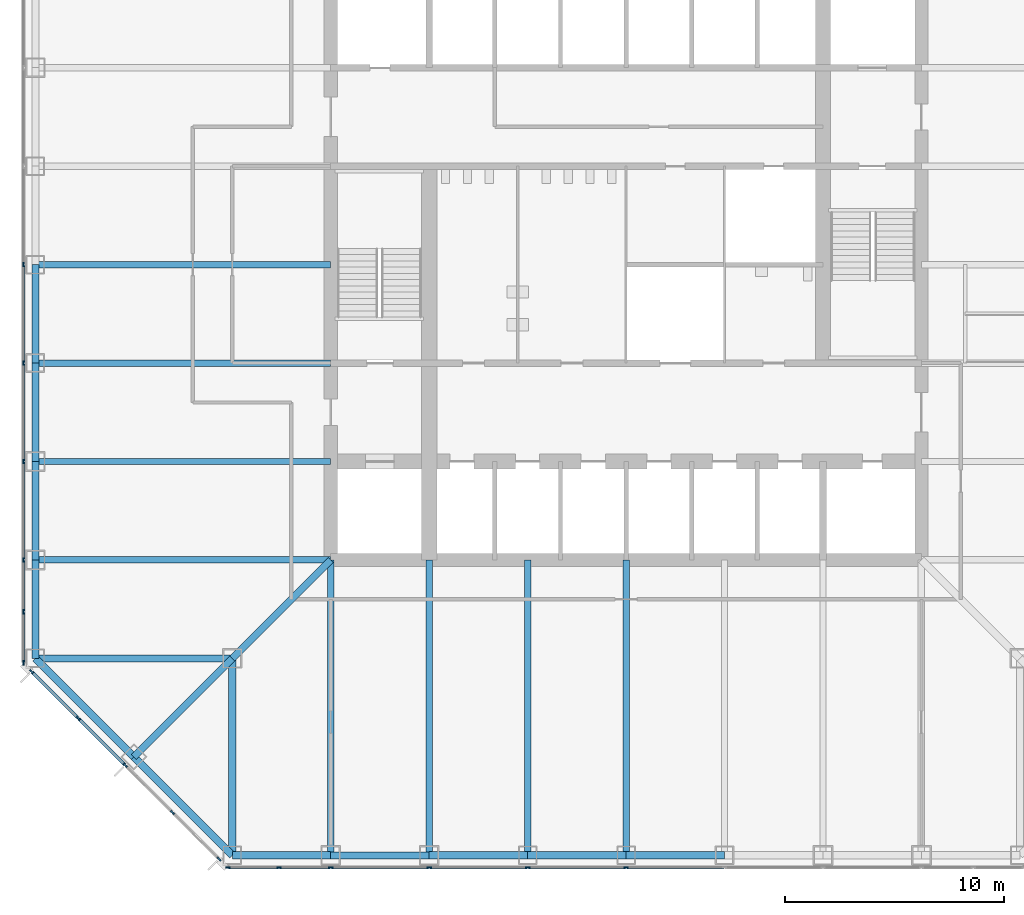
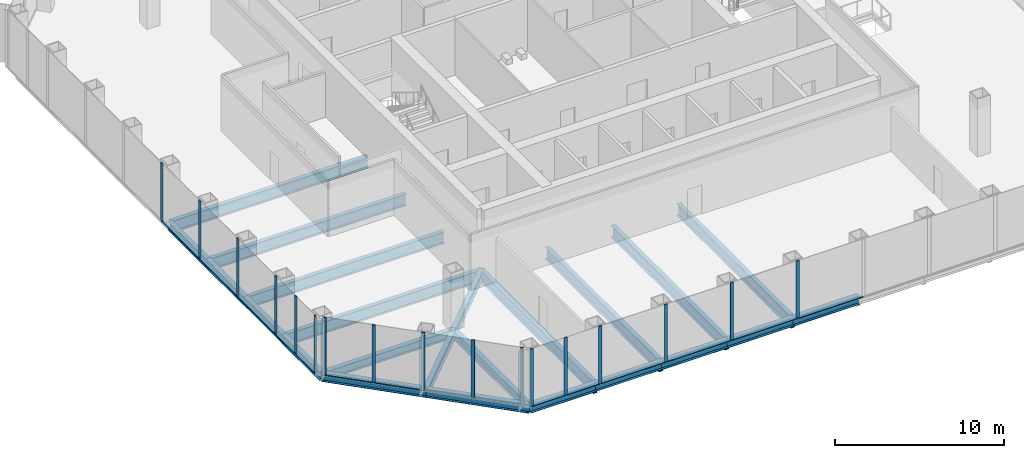
# One storey, part 2 of 12: 30 members, 23 beams, 3 elements without a shape of their own.
"""IFC4 building model written with IfcOpenShell, lengths in metres."""

from ifc_helpers import new_model, si_unit, direction, frame, origin, origin_2d, place, context, subcontext, project, spatial, rectangle, i_section, extrude, material, material_profile, profile_set, type_object, element, aggregate, save


model = new_model("IFC4")

# Units and contexts
model_context = context("Model", 3, precision=1e-05, world=origin(), true_north=direction((0.0, 1.0)))
body_context = subcontext(model_context, "Body", "Model", "MODEL_VIEW")
ifc_project = project(units=[si_unit("LENGTHUNIT", "METRE"), si_unit("AREAUNIT", "SQUARE_METRE"), si_unit("VOLUMEUNIT", "CUBIC_METRE"), si_unit("PLANEANGLEUNIT", "RADIAN"), si_unit("MASSUNIT", "GRAM", prefix="KILO")], contexts=[model_context])

# Site, building, storey
site_placement = place(None, origin())
site = spatial("IfcSite", under=ifc_project, at=site_placement, CompositionType="ELEMENT")
building_placement = place(site_placement, origin())
building = spatial("IfcBuilding", under=site, at=building_placement, Name="Corais Broadcast Tower", CompositionType="ELEMENT")
storey_placement = place(building_placement, frame((0.0, 0.0, 41.60009765625)))
storey = spatial("IfcBuildingStorey", under=building, at=storey_placement, Name="L08", CompositionType="ELEMENT", Elevation=41.60009765625)

# Beams
ifc_material_1 = material(Name="Steel ASTM A572 Grade 50", Category="steel")
ifc_material_profile_1 = material_profile(ifc_material_1, i_section(OverallWidth=0.323974609375, OverallDepth=0.611083984375, WebThickness=0.0126953125, FlangeThickness=0.01904296875, at=origin_2d()), Name="W610x155")
ifc_profile_set_1 = profile_set([ifc_material_profile_1], Name="Steel ASTM A572 Grade 50")
beam_type_1 = type_object("IfcBeamType", Name="Chamfer tie W610x155", PredefinedType="BEAM", material=ifc_profile_set_1)
beam_1_placement = place(storey_placement, frame((4.5, 4.5, -0.465576171875), z_axis=(0.707106781187, 0.707106781187, 0.0), x_axis=(-0.707106781187, 0.707106781187, 0.0)))
element("IfcBeam", 1, at=beam_1_placement, inside=storey, type_object=beam_type_1, Name="B5 B/4 to C/5", PredefinedType="BEAM", context=body_context, shape_type="SweptSolid", body=[
    extrude(i_section(OverallWidth=0.323974609375, OverallDepth=0.611083984375, WebThickness=0.0126953125, FlangeThickness=0.01904296875, at=origin_2d()), origin(), (0.0, 0.0, 1.0), 6.364013671875),
])
ifc_material_2 = material(Name="Steel ASTM A572 Grade 50", Category="steel")
ifc_material_profile_2 = material_profile(ifc_material_2, i_section(OverallWidth=0.323974609375, OverallDepth=0.611083984375, WebThickness=0.0126953125, FlangeThickness=0.01904296875, at=origin_2d()), Name="W610x155")
ifc_profile_set_2 = profile_set([ifc_material_profile_2], Name="Steel ASTM A572 Grade 50")
beam_type_2 = type_object("IfcBeamType", Name="Corner diagonal W610x155", PredefinedType="BEAM", material=ifc_profile_set_2)
beam_2_placement = place(storey_placement, frame((9.0, 9.0, -0.465576171875), z_axis=(0.707106781187, 0.707106781187, 0.0), x_axis=(-0.707106781187, 0.707106781187, 0.0)))
element("IfcBeam", 2, at=beam_2_placement, inside=storey, type_object=beam_type_2, Name="B6 C/5 to D/6", PredefinedType="BEAM", context=body_context, shape_type="SweptSolid", body=[
    extrude(i_section(OverallWidth=0.323974609375, OverallDepth=0.611083984375, WebThickness=0.0126953125, FlangeThickness=0.01904296875, at=origin_2d()), origin(), (0.0, 0.0, 1.0), 6.364013671875),
])
ifc_material_3 = material(Name="Steel ASTM A572 Grade 50", Category="steel")
ifc_material_profile_3 = material_profile(ifc_material_3, i_section(OverallWidth=0.323974609375, OverallDepth=0.611083984375, WebThickness=0.0126953125, FlangeThickness=0.01904296875, at=origin_2d()), Name="W610x155")
ifc_profile_set_3 = profile_set([ifc_material_profile_3], Name="Steel ASTM A572 Grade 50")
beam_type_3 = type_object("IfcBeamType", Name="Corner girder W610x155", PredefinedType="BEAM", material=ifc_profile_set_3)
for number, where, z_axis, x_axis, name in (
    (3, (0.0, 9.0, -0.465576171875), (1.0, 0.0, 0.0), (0.0, 1.0, 0.0), "B4 C/3 to C/5"),
    (4, (9.0, 0.0, -0.465576171875), (0.0, 1.0, 0.0), (-1.0, 0.0, 0.0), "B4 A/5 to C/5"),
):
    element("IfcBeam", number, at=place(storey_placement, frame(where, z_axis=z_axis, x_axis=x_axis)), inside=storey, type_object=beam_type_3, Name=name, PredefinedType="BEAM", context=body_context, shape_type="SweptSolid", body=[
        extrude(i_section(OverallWidth=0.323974609375, OverallDepth=0.611083984375, WebThickness=0.0126953125, FlangeThickness=0.01904296875, at=origin_2d()), origin(), (0.0, 0.0, 1.0), 9.0),
    ])
ifc_material_4 = material(Name="Steel ASTM A572 Grade 50", Category="steel")
ifc_material_profile_4 = material_profile(ifc_material_4, i_section(OverallWidth=0.2939453125, OverallDepth=0.85107421875, WebThickness=0.01611328125, FlangeThickness=0.02685546875, at=origin_2d()), Name="W840x226")
ifc_profile_set_4 = profile_set([ifc_material_profile_4], Name="Steel ASTM A572 Grade 50")
beam_type_4 = type_object("IfcBeamType", Name="Floor beam W840x226", PredefinedType="BEAM", material=ifc_profile_set_4)
for number, where, z_axis, x_axis, name in (
    (5, (0.0, 13.5, -0.585693359375), (1.0, 0.0, 0.0), (0.0, 1.0, 0.0), "B1 D/3 to D/6"),
    (6, (0.0, 18.0, -0.585693359375), (1.0, 0.0, 0.0), (0.0, 1.0, 0.0), "B1 E/3 to E/6"),
    (7, (0.0, 22.5, -0.585693359375), (1.0, 0.0, 0.0), (0.0, 1.0, 0.0), "B1 F/3 to F/6"),
    (8, (0.0, 27.0, -0.585693359375), (1.0, 0.0, 0.0), (0.0, 1.0, 0.0), "B1 G/3 to G/6"),
    (9, (13.5, 0.0, -0.585693359375), (0.0, 1.0, 0.0), (-1.0, 0.0, 0.0), "B1 A/6 to D/6"),
    (10, (18.0, 0.0, -0.585693359375), (0.0, 1.0, 0.0), (-1.0, 0.0, 0.0), "B1 A/7 to D/7"),
    (11, (22.5, 0.0, -0.585693359375), (0.0, 1.0, 0.0), (-1.0, 0.0, 0.0), "B1 A/8 to D/8"),
    (12, (27.0, 0.0, -0.585693359375), (0.0, 1.0, 0.0), (-1.0, 0.0, 0.0), "B1 A/9 to D/9"),
):
    element("IfcBeam", number, at=place(storey_placement, frame(where, z_axis=z_axis, x_axis=x_axis)), inside=storey, type_object=beam_type_4, Name=name, PredefinedType="BEAM", context=body_context, shape_type="SweptSolid", body=[
        extrude(i_section(OverallWidth=0.2939453125, OverallDepth=0.85107421875, WebThickness=0.01611328125, FlangeThickness=0.02685546875, at=origin_2d()), origin(), (0.0, 0.0, 1.0), 13.5),
    ])

# Curtain wall, members
ifc_material_5 = material(Name="Aluminium and glass", Category="aluminium")
curtain_wall_type = type_object("IfcCurtainWallType", Name="Newsroom clear-glass curtain wall CW7", PredefinedType="NOTDEFINED", material=ifc_material_5)
curtain_wall_1_placement = place(storey_placement, origin())
curtain_wall_1 = element("IfcCurtainWall", 13, at=curtain_wall_1_placement, inside=storey, type_object=curtain_wall_type, Name="CW7 curtain wall L08 1", PredefinedType="NOTDEFINED")
ifc_material_6 = material(Name="Aluminium 6063-T6", Category="aluminium")
ifc_material_profile_5 = material_profile(ifc_material_6, rectangle(XDim=0.06494140625, YDim=0.219970703125, at=origin_2d()), Name="Mullion CW7 65x220")
ifc_profile_set_5 = profile_set([ifc_material_profile_5], Name="Aluminium 6063-T6")
member_type_1 = type_object("IfcMemberType", Name="Mullion CW7 65x220", PredefinedType="MULLION", material=ifc_profile_set_5)
member_1_placement = place(storey_placement, frame((8.3955078125, -0.17333984375, 0.0), z_axis=(0.0, 0.0, 1.0), x_axis=(-0.707106781187, -0.707106781187, 0.0)))
member_1 = element("IfcMember", 14, at=member_1_placement, type_object=member_type_1, Name="CW7 mullion 1", PredefinedType="MULLION", context=body_context, shape_type="SweptSolid", body=[
    extrude(rectangle(XDim=0.06494140625, YDim=0.219970703125, at=origin_2d()), origin(), (0.0, 0.0, 1.0), 4.199951171875),
])
member_2_placement = place(storey_placement, frame((6.264892578125, 1.957275390625, 0.0), z_axis=(0.0, 0.0, 1.0), x_axis=(-0.707106781187, -0.707106781187, 0.0)))
member_2 = element("IfcMember", 15, at=member_2_placement, type_object=member_type_1, Name="CW7 mullion 2", PredefinedType="MULLION", context=body_context, shape_type="SweptSolid", body=[
    extrude(rectangle(XDim=0.06494140625, YDim=0.219970703125, at=origin_2d()), origin(), (0.0, 0.0, 1.0), 4.199951171875),
])
member_3_placement = place(storey_placement, frame((4.111083984375, 4.111083984375, 0.0), z_axis=(0.0, 0.0, 1.0), x_axis=(-0.707106781187, -0.707106781187, 0.0)))
member_3 = element("IfcMember", 16, at=member_3_placement, type_object=member_type_1, Name="CW7 mullion 3", PredefinedType="MULLION", context=body_context, shape_type="SweptSolid", body=[
    extrude(rectangle(XDim=0.06494140625, YDim=0.219970703125, at=origin_2d()), origin(), (0.0, 0.0, 1.0), 4.199951171875),
])
member_4_placement = place(storey_placement, frame((1.957275390625, 6.264892578125, 0.0), z_axis=(0.0, 0.0, 1.0), x_axis=(-0.707106781187, -0.707106781187, 0.0)))
member_4 = element("IfcMember", 17, at=member_4_placement, type_object=member_type_1, Name="CW7 mullion 4", PredefinedType="MULLION", context=body_context, shape_type="SweptSolid", body=[
    extrude(rectangle(XDim=0.06494140625, YDim=0.219970703125, at=origin_2d()), origin(), (0.0, 0.0, 1.0), 4.199951171875),
])
member_5_placement = place(storey_placement, frame((-0.17333984375, 8.3955078125, 0.0), z_axis=(0.0, 0.0, 1.0), x_axis=(-0.707106781187, -0.707106781187, 0.0)))
member_5 = element("IfcMember", 18, at=member_5_placement, type_object=member_type_1, Name="CW7 mullion 5", PredefinedType="MULLION", context=body_context, shape_type="SweptSolid", body=[
    extrude(rectangle(XDim=0.06494140625, YDim=0.219970703125, at=origin_2d()), origin(), (0.0, 0.0, 1.0), 4.199951171875),
])

curtain_wall_2_placement = place(storey_placement, origin())
curtain_wall_2 = element("IfcCurtainWall", 19, at=curtain_wall_2_placement, inside=storey, type_object=curtain_wall_type, Name="CW7 curtain wall L08 2", PredefinedType="NOTDEFINED")
member_6_placement = place(storey_placement, frame((-0.550048828125, 8.8046875, 0.0), z_axis=(0.0, 0.0, 1.0), x_axis=(-1.0, 0.0, 0.0)))
member_6 = element("IfcMember", 20, at=member_6_placement, type_object=member_type_1, Name="CW7 mullion 1", PredefinedType="MULLION", context=body_context, shape_type="SweptSolid", body=[
    extrude(rectangle(XDim=0.06494140625, YDim=0.219970703125, at=origin_2d()), origin(), (0.0, 0.0, 1.0), 4.199951171875),
])
member_7_placement = place(storey_placement, frame((-0.550048828125, 11.135986328125, 0.0), z_axis=(0.0, 0.0, 1.0), x_axis=(-1.0, 0.0, 0.0)))
member_7 = element("IfcMember", 21, at=member_7_placement, type_object=member_type_1, Name="CW7 mullion 2", PredefinedType="MULLION", context=body_context, shape_type="SweptSolid", body=[
    extrude(rectangle(XDim=0.06494140625, YDim=0.219970703125, at=origin_2d()), origin(), (0.0, 0.0, 1.0), 4.199951171875),
])
member_8_placement = place(storey_placement, frame((-0.550048828125, 13.5, 0.0), z_axis=(0.0, 0.0, 1.0), x_axis=(-1.0, 0.0, 0.0)))
member_8 = element("IfcMember", 22, at=member_8_placement, type_object=member_type_1, Name="CW7 mullion 3", PredefinedType="MULLION", context=body_context, shape_type="SweptSolid", body=[
    extrude(rectangle(XDim=0.06494140625, YDim=0.219970703125, at=origin_2d()), origin(), (0.0, 0.0, 1.0), 4.199951171875),
])
member_9_placement = place(storey_placement, frame((-0.550048828125, 18.0, 0.0), z_axis=(0.0, 0.0, 1.0), x_axis=(-1.0, 0.0, 0.0)))
member_9 = element("IfcMember", 23, at=member_9_placement, type_object=member_type_1, Name="CW7 mullion 4", PredefinedType="MULLION", context=body_context, shape_type="SweptSolid", body=[
    extrude(rectangle(XDim=0.06494140625, YDim=0.219970703125, at=origin_2d()), origin(), (0.0, 0.0, 1.0), 4.199951171875),
])
member_10_placement = place(storey_placement, frame((-0.550048828125, 22.5, 0.0), z_axis=(0.0, 0.0, 1.0), x_axis=(-1.0, 0.0, 0.0)))
member_10 = element("IfcMember", 24, at=member_10_placement, type_object=member_type_1, Name="CW7 mullion 5", PredefinedType="MULLION", context=body_context, shape_type="SweptSolid", body=[
    extrude(rectangle(XDim=0.06494140625, YDim=0.219970703125, at=origin_2d()), origin(), (0.0, 0.0, 1.0), 4.199951171875),
])
member_11_placement = place(storey_placement, frame((-0.550048828125, 27.0, 0.0), z_axis=(0.0, 0.0, 1.0), x_axis=(-1.0, 0.0, 0.0)))
member_11 = element("IfcMember", 25, at=member_11_placement, type_object=member_type_1, Name="CW7 mullion 6", PredefinedType="MULLION", context=body_context, shape_type="SweptSolid", body=[
    extrude(rectangle(XDim=0.06494140625, YDim=0.219970703125, at=origin_2d()), origin(), (0.0, 0.0, 1.0), 4.199951171875),
])

curtain_wall_3_placement = place(storey_placement, origin())
curtain_wall_3 = element("IfcCurtainWall", 26, at=curtain_wall_3_placement, inside=storey, type_object=curtain_wall_type, Name="CW7 curtain wall L08 8", PredefinedType="NOTDEFINED")
member_12_placement = place(storey_placement, frame((27.0, -0.550048828125, 0.0), z_axis=(0.0, 0.0, 1.0), x_axis=(0.0, -1.0, 0.0)))
member_12 = element("IfcMember", 27, at=member_12_placement, type_object=member_type_1, Name="CW7 mullion 6", PredefinedType="MULLION", context=body_context, shape_type="SweptSolid", body=[
    extrude(rectangle(XDim=0.06494140625, YDim=0.219970703125, at=origin_2d()), origin(), (0.0, 0.0, 1.0), 4.199951171875),
])
member_13_placement = place(storey_placement, frame((22.5, -0.550048828125, 0.0), z_axis=(0.0, 0.0, 1.0), x_axis=(0.0, -1.0, 0.0)))
member_13 = element("IfcMember", 28, at=member_13_placement, type_object=member_type_1, Name="CW7 mullion 7", PredefinedType="MULLION", context=body_context, shape_type="SweptSolid", body=[
    extrude(rectangle(XDim=0.06494140625, YDim=0.219970703125, at=origin_2d()), origin(), (0.0, 0.0, 1.0), 4.199951171875),
])
member_14_placement = place(storey_placement, frame((18.0, -0.550048828125, 0.0), z_axis=(0.0, 0.0, 1.0), x_axis=(0.0, -1.0, 0.0)))
member_14 = element("IfcMember", 29, at=member_14_placement, type_object=member_type_1, Name="CW7 mullion 8", PredefinedType="MULLION", context=body_context, shape_type="SweptSolid", body=[
    extrude(rectangle(XDim=0.06494140625, YDim=0.219970703125, at=origin_2d()), origin(), (0.0, 0.0, 1.0), 4.199951171875),
])
member_15_placement = place(storey_placement, frame((13.5, -0.550048828125, 0.0), z_axis=(0.0, 0.0, 1.0), x_axis=(0.0, -1.0, 0.0)))
member_15 = element("IfcMember", 30, at=member_15_placement, type_object=member_type_1, Name="CW7 mullion 9", PredefinedType="MULLION", context=body_context, shape_type="SweptSolid", body=[
    extrude(rectangle(XDim=0.06494140625, YDim=0.219970703125, at=origin_2d()), origin(), (0.0, 0.0, 1.0), 4.199951171875),
])
member_16_placement = place(storey_placement, frame((11.135986328125, -0.550048828125, 0.0), z_axis=(0.0, 0.0, 1.0), x_axis=(0.0, -1.0, 0.0)))
member_16 = element("IfcMember", 31, at=member_16_placement, type_object=member_type_1, Name="CW7 mullion 10", PredefinedType="MULLION", context=body_context, shape_type="SweptSolid", body=[
    extrude(rectangle(XDim=0.06494140625, YDim=0.219970703125, at=origin_2d()), origin(), (0.0, 0.0, 1.0), 4.199951171875),
])
member_17_placement = place(storey_placement, frame((8.8046875, -0.550048828125, 0.0), z_axis=(0.0, 0.0, 1.0), x_axis=(0.0, -1.0, 0.0)))
member_17 = element("IfcMember", 32, at=member_17_placement, type_object=member_type_1, Name="CW7 mullion 11", PredefinedType="MULLION", context=body_context, shape_type="SweptSolid", body=[
    extrude(rectangle(XDim=0.06494140625, YDim=0.219970703125, at=origin_2d()), origin(), (0.0, 0.0, 1.0), 4.199951171875),
])

# Beams
ifc_material_7 = material(Name="Steel ASTM A572 Grade 50", Category="steel")
ifc_material_profile_6 = material_profile(ifc_material_7, i_section(OverallWidth=0.323974609375, OverallDepth=0.611083984375, WebThickness=0.0126953125, FlangeThickness=0.01904296875, at=origin_2d()), Name="W610x155")
ifc_profile_set_6 = profile_set([ifc_material_profile_6], Name="Steel ASTM A572 Grade 50")
beam_type_5 = type_object("IfcBeamType", Name="Pinned spandrel W610x155", PredefinedType="BEAM", material=ifc_profile_set_6)
for number, where, z_axis, x_axis, name in (
    (33, (0.0, 18.0, -0.465576171875), (0.0, -1.0, 0.0), (1.0, 0.0, 0.0), "SB6 E/3 to D/3"),
    (34, (13.5, 0.0, -0.465576171875), (1.0, 0.0, 0.0), (0.0, 1.0, 0.0), "SB6 A/6 to A/7"),
):
    element("IfcBeam", number, at=place(storey_placement, frame(where, z_axis=z_axis, x_axis=x_axis)), inside=storey, type_object=beam_type_5, Name=name, PredefinedType="BEAM", context=body_context, shape_type="SweptSolid", body=[
        extrude(i_section(OverallWidth=0.323974609375, OverallDepth=0.611083984375, WebThickness=0.0126953125, FlangeThickness=0.01904296875, at=origin_2d()), origin(), (0.0, 0.0, 1.0), 4.5),
    ])
ifc_material_8 = material(Name="Steel ASTM A572 Grade 50", Category="steel")
ifc_material_profile_7 = material_profile(ifc_material_8, i_section(OverallWidth=0.3291015625, OverallDepth=0.635009765625, WebThickness=0.017822265625, FlangeThickness=0.031005859375, at=origin_2d()), Name="W610x241")
ifc_profile_set_7 = profile_set([ifc_material_profile_7], Name="Steel ASTM A572 Grade 50")
beam_type_6 = type_object("IfcBeamType", Name="Spandrel W610x241", PredefinedType="BEAM", material=ifc_profile_set_7)
for number, where, z_axis, x_axis, name in (
    (35, (0.0, 13.5, -0.4775390625), (0.0, -1.0, 0.0), (1.0, 0.0, 0.0), "SB1 D/3 to C/3"),
    (36, (0.0, 22.5, -0.4775390625), (0.0, -1.0, 0.0), (1.0, 0.0, 0.0), "SB1 F/3 to E/3"),
    (37, (0.0, 27.0, -0.4775390625), (0.0, -1.0, 0.0), (1.0, 0.0, 0.0), "SB1 G/3 to F/3"),
):
    element("IfcBeam", number, at=place(storey_placement, frame(where, z_axis=z_axis, x_axis=x_axis)), inside=storey, type_object=beam_type_6, Name=name, PredefinedType="BEAM", context=body_context, shape_type="SweptSolid", body=[
        extrude(i_section(OverallWidth=0.3291015625, OverallDepth=0.635009765625, WebThickness=0.017822265625, FlangeThickness=0.031005859375, at=origin_2d()), origin(), (0.0, 0.0, 1.0), 4.5),
    ])
beam_3_placement = place(storey_placement, frame((0.0, 9.0, -0.4775390625), z_axis=(0.707106781187, -0.707106781187, 0.0), x_axis=(0.707106781187, 0.707106781187, 0.0)))
element("IfcBeam", 38, at=beam_3_placement, inside=storey, type_object=beam_type_6, Name="SB1 C/3 to B/4", PredefinedType="BEAM", context=body_context, shape_type="SweptSolid", body=[
    extrude(i_section(OverallWidth=0.3291015625, OverallDepth=0.635009765625, WebThickness=0.017822265625, FlangeThickness=0.031005859375, at=origin_2d()), origin(), (0.0, 0.0, 1.0), 6.364013671875),
])
for number, where, z_axis, x_axis, name in (
    (39, (18.0, 0.0, -0.4775390625), (1.0, 0.0, 0.0), (0.0, 1.0, 0.0), "SB1 A/7 to A/8"),
    (40, (22.5, 0.0, -0.4775390625), (1.0, 0.0, 0.0), (0.0, 1.0, 0.0), "SB1 A/8 to A/9"),
    (41, (27.0, 0.0, -0.4775390625), (1.0, 0.0, 0.0), (0.0, 1.0, 0.0), "SB1 A/9 to A/10"),
):
    element("IfcBeam", number, at=place(storey_placement, frame(where, z_axis=z_axis, x_axis=x_axis)), inside=storey, type_object=beam_type_6, Name=name, PredefinedType="BEAM", context=body_context, shape_type="SweptSolid", body=[
        extrude(i_section(OverallWidth=0.3291015625, OverallDepth=0.635009765625, WebThickness=0.017822265625, FlangeThickness=0.031005859375, at=origin_2d()), origin(), (0.0, 0.0, 1.0), 4.5),
    ])
beam_4_placement = place(storey_placement, frame((4.5, 4.5, -0.4775390625), z_axis=(0.707106781187, -0.707106781187, 0.0), x_axis=(0.707106781187, 0.707106781187, 0.0)))
element("IfcBeam", 42, at=beam_4_placement, inside=storey, type_object=beam_type_6, Name="SB1 B/4 to A/5", PredefinedType="BEAM", context=body_context, shape_type="SweptSolid", body=[
    extrude(i_section(OverallWidth=0.3291015625, OverallDepth=0.635009765625, WebThickness=0.017822265625, FlangeThickness=0.031005859375, at=origin_2d()), origin(), (0.0, 0.0, 1.0), 6.364013671875),
])
beam_5_placement = place(storey_placement, frame((9.0, 0.0, -0.4775390625), z_axis=(1.0, 0.0, 0.0), x_axis=(0.0, 1.0, 0.0)))
element("IfcBeam", 43, at=beam_5_placement, inside=storey, type_object=beam_type_6, Name="SB1 A/5 to A/6", PredefinedType="BEAM", context=body_context, shape_type="SweptSolid", body=[
    extrude(i_section(OverallWidth=0.3291015625, OverallDepth=0.635009765625, WebThickness=0.017822265625, FlangeThickness=0.031005859375, at=origin_2d()), origin(), (0.0, 0.0, 1.0), 4.5),
])

# Member
ifc_material_9 = material(Name="Aluminium 6063-T6", Category="aluminium")
ifc_material_profile_8 = material_profile(ifc_material_9, rectangle(XDim=0.14990234375, YDim=0.06494140625, at=origin_2d()), Name="Transom CW7 65x150")
ifc_profile_set_8 = profile_set([ifc_material_profile_8], Name="Aluminium 6063-T6")
member_type_2 = type_object("IfcMemberType", Name="Transom CW7 65x150", PredefinedType="USERDEFINED", material=ifc_profile_set_8)
member_18_placement = place(storey_placement, frame((4.088134765625, 4.134033203125, 0.032470703125), z_axis=(-0.707106781187, 0.707106781187, 0.0), x_axis=(-0.707106781187, -0.707106781187, 0.0)))
member_18 = element("IfcMember", 44, at=member_18_placement, type_object=member_type_2, Name="CW7 transom 3.1", ObjectType="TRANSOM", PredefinedType="USERDEFINED", context=body_context, shape_type="SweptSolid", body=[
    extrude(rectangle(XDim=0.14990234375, YDim=0.06494140625, at=origin_2d()), origin(), (0.0, 0.0, 1.0), 2.98095703125),
])

member_19_placement = place(storey_placement, frame((1.934326171875, 6.287841796875, 0.032470703125), z_axis=(-0.707106781187, 0.707106781187, 0.0), x_axis=(-0.707106781187, -0.707106781187, 0.0)))
member_19 = element("IfcMember", 45, at=member_19_placement, type_object=member_type_2, Name="CW7 transom 4.1", ObjectType="TRANSOM", PredefinedType="USERDEFINED", context=body_context, shape_type="SweptSolid", body=[
    extrude(rectangle(XDim=0.14990234375, YDim=0.06494140625, at=origin_2d()), origin(), (0.0, 0.0, 1.0), 2.9482421875),
])

aggregate(curtain_wall_1, [member_1, member_2, member_3, member_4, member_5, member_18, member_19])

member_20_placement = place(storey_placement, frame((-0.550048828125, 8.837158203125, 0.032470703125), z_axis=(0.0, 1.0, 0.0), x_axis=(-1.0, 0.0, 0.0)))
member_20 = element("IfcMember", 46, at=member_20_placement, type_object=member_type_2, Name="CW7 transom 1.1", ObjectType="TRANSOM", PredefinedType="USERDEFINED", context=body_context, shape_type="SweptSolid", body=[
    extrude(rectangle(XDim=0.14990234375, YDim=0.06494140625, at=origin_2d()), origin(), (0.0, 0.0, 1.0), 2.266357421875),
])

member_21_placement = place(storey_placement, frame((-0.550048828125, 11.168701171875, 0.032470703125), z_axis=(0.0, 1.0, 0.0), x_axis=(-1.0, 0.0, 0.0)))
member_21 = element("IfcMember", 47, at=member_21_placement, type_object=member_type_2, Name="CW7 transom 2.1", ObjectType="TRANSOM", PredefinedType="USERDEFINED", context=body_context, shape_type="SweptSolid", body=[
    extrude(rectangle(XDim=0.14990234375, YDim=0.06494140625, at=origin_2d()), origin(), (0.0, 0.0, 1.0), 2.298828125),
])

member_22_placement = place(storey_placement, frame((-0.550048828125, 13.532470703125, 0.032470703125), z_axis=(0.0, 1.0, 0.0), x_axis=(-1.0, 0.0, 0.0)))
member_22 = element("IfcMember", 48, at=member_22_placement, type_object=member_type_2, Name="CW7 transom 3.1", ObjectType="TRANSOM", PredefinedType="USERDEFINED", context=body_context, shape_type="SweptSolid", body=[
    extrude(rectangle(XDim=0.14990234375, YDim=0.06494140625, at=origin_2d()), origin(), (0.0, 0.0, 1.0), 4.43505859375),
])

member_23_placement = place(storey_placement, frame((-0.550048828125, 18.032470703125, 0.032470703125), z_axis=(0.0, 1.0, 0.0), x_axis=(-1.0, 0.0, 0.0)))
member_23 = element("IfcMember", 49, at=member_23_placement, type_object=member_type_2, Name="CW7 transom 4.1", ObjectType="TRANSOM", PredefinedType="USERDEFINED", context=body_context, shape_type="SweptSolid", body=[
    extrude(rectangle(XDim=0.14990234375, YDim=0.06494140625, at=origin_2d()), origin(), (0.0, 0.0, 1.0), 4.43505859375),
])

member_24_placement = place(storey_placement, frame((-0.550048828125, 22.532470703125, 0.032470703125), z_axis=(0.0, 1.0, 0.0), x_axis=(-1.0, 0.0, 0.0)))
member_24 = element("IfcMember", 50, at=member_24_placement, type_object=member_type_2, Name="CW7 transom 5.1", ObjectType="TRANSOM", PredefinedType="USERDEFINED", context=body_context, shape_type="SweptSolid", body=[
    extrude(rectangle(XDim=0.14990234375, YDim=0.06494140625, at=origin_2d()), origin(), (0.0, 0.0, 1.0), 4.43505859375),
])

aggregate(curtain_wall_2, [member_6, member_7, member_8, member_9, member_10, member_11, member_20, member_21, member_22, member_23, member_24])

member_25_placement = place(storey_placement, frame((31.467529296875, -0.550048828125, 0.032470703125), z_axis=(-1.0, 0.0, 0.0), x_axis=(0.0, -1.0, 0.0)))
member_25 = element("IfcMember", 51, at=member_25_placement, type_object=member_type_2, Name="CW7 transom 5.1", ObjectType="TRANSOM", PredefinedType="USERDEFINED", context=body_context, shape_type="SweptSolid", body=[
    extrude(rectangle(XDim=0.14990234375, YDim=0.06494140625, at=origin_2d()), origin(), (0.0, 0.0, 1.0), 4.43505859375),
])

member_26_placement = place(storey_placement, frame((26.967529296875, -0.550048828125, 0.032470703125), z_axis=(-1.0, 0.0, 0.0), x_axis=(0.0, -1.0, 0.0)))
member_26 = element("IfcMember", 52, at=member_26_placement, type_object=member_type_2, Name="CW7 transom 6.1", ObjectType="TRANSOM", PredefinedType="USERDEFINED", context=body_context, shape_type="SweptSolid", body=[
    extrude(rectangle(XDim=0.14990234375, YDim=0.06494140625, at=origin_2d()), origin(), (0.0, 0.0, 1.0), 4.43505859375),
])

member_27_placement = place(storey_placement, frame((22.467529296875, -0.550048828125, 0.032470703125), z_axis=(-1.0, 0.0, 0.0), x_axis=(0.0, -1.0, 0.0)))
member_27 = element("IfcMember", 53, at=member_27_placement, type_object=member_type_2, Name="CW7 transom 7.1", ObjectType="TRANSOM", PredefinedType="USERDEFINED", context=body_context, shape_type="SweptSolid", body=[
    extrude(rectangle(XDim=0.14990234375, YDim=0.06494140625, at=origin_2d()), origin(), (0.0, 0.0, 1.0), 4.43505859375),
])

member_28_placement = place(storey_placement, frame((17.967529296875, -0.550048828125, 0.032470703125), z_axis=(-1.0, 0.0, 0.0), x_axis=(0.0, -1.0, 0.0)))
member_28 = element("IfcMember", 54, at=member_28_placement, type_object=member_type_2, Name="CW7 transom 8.1", ObjectType="TRANSOM", PredefinedType="USERDEFINED", context=body_context, shape_type="SweptSolid", body=[
    extrude(rectangle(XDim=0.14990234375, YDim=0.06494140625, at=origin_2d()), origin(), (0.0, 0.0, 1.0), 4.43505859375),
])

member_29_placement = place(storey_placement, frame((13.467529296875, -0.550048828125, 0.032470703125), z_axis=(-1.0, 0.0, 0.0), x_axis=(0.0, -1.0, 0.0)))
member_29 = element("IfcMember", 55, at=member_29_placement, type_object=member_type_2, Name="CW7 transom 9.1", ObjectType="TRANSOM", PredefinedType="USERDEFINED", context=body_context, shape_type="SweptSolid", body=[
    extrude(rectangle(XDim=0.14990234375, YDim=0.06494140625, at=origin_2d()), origin(), (0.0, 0.0, 1.0), 2.298828125),
])

member_30_placement = place(storey_placement, frame((11.103515625, -0.550048828125, 0.032470703125), z_axis=(-1.0, 0.0, 0.0), x_axis=(0.0, -1.0, 0.0)))
member_30 = element("IfcMember", 56, at=member_30_placement, type_object=member_type_2, Name="CW7 transom 10.1", ObjectType="TRANSOM", PredefinedType="USERDEFINED", context=body_context, shape_type="SweptSolid", body=[
    extrude(rectangle(XDim=0.14990234375, YDim=0.06494140625, at=origin_2d()), origin(), (0.0, 0.0, 1.0), 2.266357421875),
])

aggregate(curtain_wall_3, [member_12, member_13, member_14, member_15, member_16, member_17, member_25, member_26, member_27, member_28, member_29, member_30])

save(model, "model.ifc")
